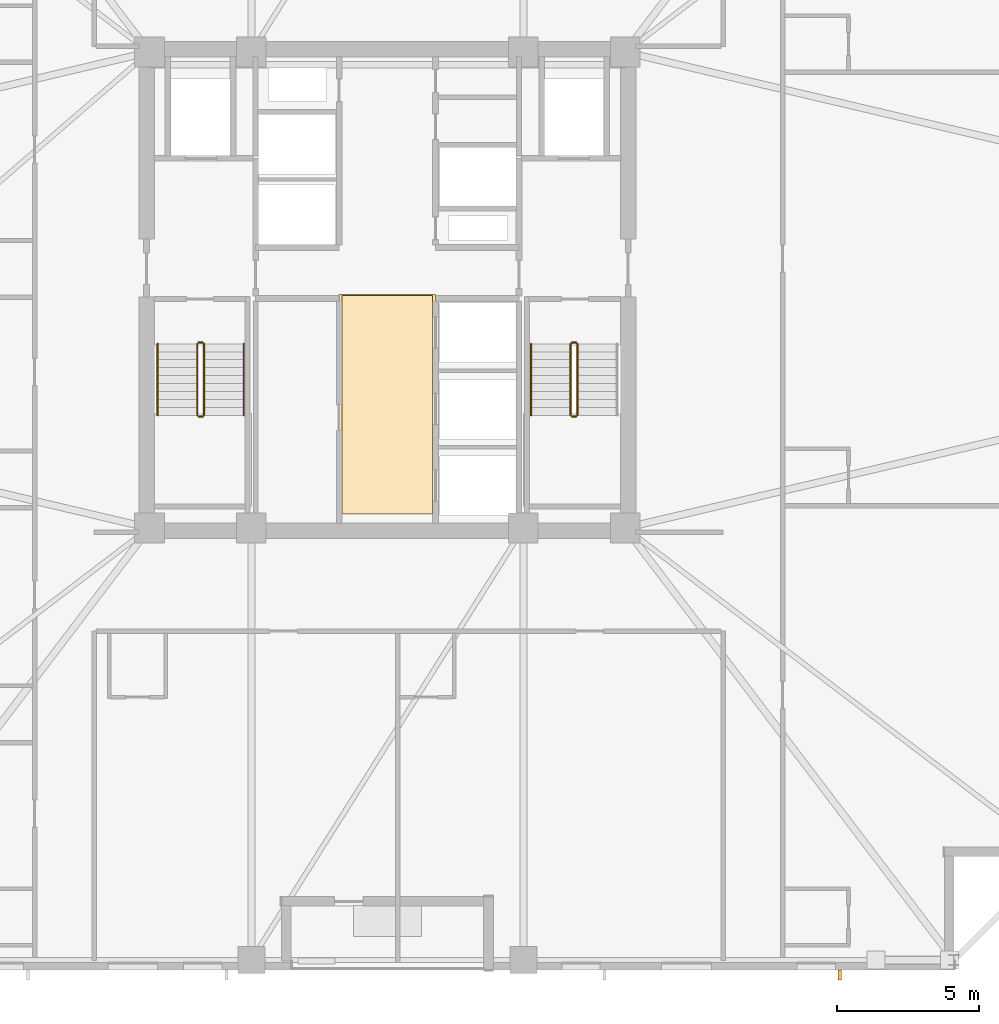
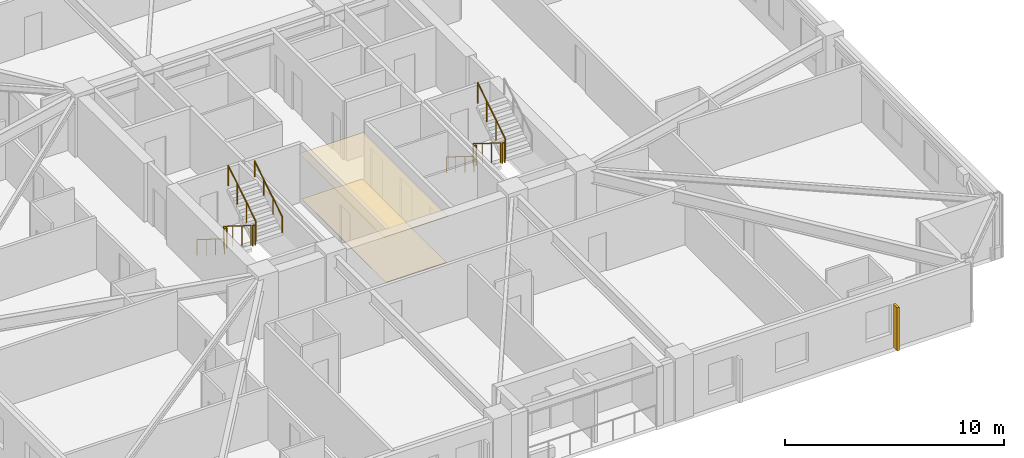
# One storey, part 8 of 11: 11 railings, 2 coverings, 1 shading device.
"""IFC4 building model written with IfcOpenShell, lengths in metres."""

from ifc_helpers import new_model, si_unit, direction, frame, origin, origin_2d, place, context, subcontext, project, spatial, polyline, rectangle, circle, outline, extrude, material, layer, layer_set, type_object, element, save


model = new_model("IFC4")

# Units and contexts
model_context = context("Model", 3, precision=1e-05, world=origin(), true_north=direction((0.0, 1.0)))
body_context = subcontext(model_context, "Body", "Model", "MODEL_VIEW")
ifc_project = project(units=[si_unit("LENGTHUNIT", "METRE"), si_unit("AREAUNIT", "SQUARE_METRE"), si_unit("VOLUMEUNIT", "CUBIC_METRE"), si_unit("PLANEANGLEUNIT", "RADIAN"), si_unit("MASSUNIT", "GRAM", prefix="KILO")], contexts=[model_context])

# Site, building, storey
site_placement = place(None, origin())
site = spatial("IfcSite", under=ifc_project, at=site_placement, CompositionType="ELEMENT")
building_placement = place(site_placement, origin())
building = spatial("IfcBuilding", under=site, at=building_placement, Name="Cairnveth Concourse Tower", CompositionType="ELEMENT")
storey_placement = place(building_placement, frame((0.0, 0.0, 155.0)))
storey = spatial("IfcBuildingStorey", under=building, at=storey_placement, Name="L42", CompositionType="ELEMENT", Elevation=155.0)

# Covering
ifc_material_1 = material(Name="Acoustic Mineral Fibre Ceiling", Category="gypsum")
ifc_layer_1 = layer(ifc_material_1, 0.02490234375)
ifc_layer_set_1 = layer_set([ifc_layer_1], Name="Acoustic Mineral Fibre Ceiling")
covering_type_1 = type_object("IfcCoveringType", Name="ACOUSTIC MINERAL FIBRE CEILING 25", PredefinedType="CEILING", material=ifc_layer_set_1)
covering_1_placement = place(storey_placement, frame((0.0, 0.0, 2.5400390625)))
element("IfcCovering", 1, at=covering_1_placement, inside=storey, type_object=covering_type_1, Name="Lift Lobby Acoustic Ceiling L42", PredefinedType="CEILING", context=body_context, shape_type="SweptSolid", body=[
    extrude(outline(polyline([(50.300048828125, 31.10009765625), (53.699951171875, 31.10009765625), (53.699951171875, 38.85009765625), (50.300048828125, 38.85009765625), (50.300048828125, 31.10009765625)])), origin(), (0.0, 0.0, 1.0), 0.02490234375),
])

# Shading device
ifc_material_2 = material(Name="Architectural Bronze Anodised Aluminium 6063-T6", Category="aluminium")
shading_device_type = type_object("IfcShadingDeviceType", Name="GOTHIC BRONZE VERTICAL LANCET FIN", PredefinedType="USERDEFINED", material=ifc_material_2)
shading_device_placement = place(storey_placement, frame((67.97119140625, 14.824951171875, 0.030029296875), z_axis=(0.0, 0.0, 1.0), x_axis=(1.0, 0.0, 0.0)))
element("IfcShadingDevice", 2, at=shading_device_placement, inside=storey, type_object=shading_device_type, Name="Gothic Bronze Vertical Fin L42-12-1", ObjectType="VERTICAL FIN", PredefinedType="USERDEFINED", context=body_context, shape_type="SweptSolid", body=[
    extrude(rectangle(XDim=0.1201171875, YDim=0.360107421875, at=origin_2d()), origin(), (0.0, 0.0, 1.0), 2.419921875),
])

# Railings
ifc_material_3 = material(Name="Steel Grade 350", Category="steel")
railing_type_1 = type_object("IfcRailingType", Name="STAIR GUARDRAIL 1150", PredefinedType="GUARDRAIL", material=ifc_material_3)
railing_1_placement = place(storey_placement, frame((45.2900390625, 37.10009765625, 0.175048828125)))
element("IfcRailing", 3, at=railing_1_placement, inside=storey, type_object=railing_type_1, Name="L42 ST-1 stair guard 1", PredefinedType="GUARDRAIL", context=body_context, shape_type="SweptSolid", body=[
    extrude(circle(Radius=0.02392578125, at=origin_2d()), frame((0.0, 0.0, 1.1259765625), z_axis=(0.0, -0.848007534815, 0.529984170421), x_axis=(1.0, 0.0, 0.0)), (0.0, 0.0, 1.0), 2.9716796875),
    extrude(circle(Radius=0.02099609375, at=origin_2d()), origin(), (0.0, 0.0, 1.0), 1.101806640625),
    extrude(circle(Radius=0.02099609375, at=origin_2d()), frame((0.0, -0.840087890625, 0.52490234375)), (0.0, 0.0, 1.0), 1.101806640625),
    extrude(circle(Radius=0.02099609375, at=origin_2d()), frame((0.0, -1.679931640625, 1.050048828125)), (0.0, 0.0, 1.0), 1.101806640625),
    extrude(circle(Radius=0.02099609375, at=origin_2d()), frame((0.0, -2.52001953125, 1.574951171875)), (0.0, 0.0, 1.0), 1.101806640625),
])
railing_2_placement = place(storey_placement, frame((45.340087890625, 34.530029296875, 1.75)))
element("IfcRailing", 4, at=railing_2_placement, inside=storey, type_object=railing_type_1, Name="L42 ST-1 stair guard 2", PredefinedType="GUARDRAIL", context=body_context, shape_type="SweptSolid", body=[
    extrude(circle(Radius=0.02392578125, at=origin_2d()), frame((0.0, 0.0, 1.1259765625), z_axis=(1.0, 0.0, 0.0), x_axis=(0.0, 1.0, 0.0)), (0.0, 0.0, 1.0), 0.139892578125),
    extrude(circle(Radius=0.02099609375, at=origin_2d()), origin(), (0.0, 0.0, 1.0), 1.101806640625),
    extrude(circle(Radius=0.02099609375, at=origin_2d()), frame((0.139892578125, 0.0, 0.0)), (0.0, 0.0, 1.0), 1.101806640625),
])
railing_3_placement = place(storey_placement, frame((45.530029296875, 34.580078125, 1.925048828125)))
element("IfcRailing", 5, at=railing_3_placement, inside=storey, type_object=railing_type_1, Name="L42 ST-1 stair guard 3", PredefinedType="GUARDRAIL", context=body_context, shape_type="SweptSolid", body=[
    extrude(circle(Radius=0.02392578125, at=origin_2d()), frame((0.0, 0.0, 1.1259765625), z_axis=(0.0, 0.848007534815, 0.529984170421), x_axis=(-1.0, 0.0, 0.0)), (0.0, 0.0, 1.0), 2.9716796875),
    extrude(circle(Radius=0.02099609375, at=origin_2d()), origin(), (0.0, 0.0, 1.0), 1.101806640625),
    extrude(circle(Radius=0.02099609375, at=origin_2d()), frame((0.0, 0.840087890625, 0.52490234375)), (0.0, 0.0, 1.0), 1.101806640625),
    extrude(circle(Radius=0.02099609375, at=origin_2d()), frame((0.0, 1.679931640625, 1.050048828125)), (0.0, 0.0, 1.0), 1.101806640625),
    extrude(circle(Radius=0.02099609375, at=origin_2d()), frame((0.0, 2.52001953125, 1.574951171875)), (0.0, 0.0, 1.0), 1.101806640625),
])
railing_4_placement = place(storey_placement, frame((45.340087890625, 37.14990234375, 0.0)))
element("IfcRailing", 6, at=railing_4_placement, inside=storey, type_object=railing_type_1, Name="L42 ST-1 stair guard 4", PredefinedType="GUARDRAIL", context=body_context, shape_type="SweptSolid", body=[
    extrude(circle(Radius=0.02392578125, at=origin_2d()), frame((0.0, 0.0, 1.1259765625), z_axis=(1.0, 0.0, 0.0), x_axis=(0.0, 1.0, 0.0)), (0.0, 0.0, 1.0), 0.139892578125),
    extrude(circle(Radius=0.02099609375, at=origin_2d()), origin(), (0.0, 0.0, 1.0), 1.101806640625),
    extrude(circle(Radius=0.02099609375, at=origin_2d()), frame((0.139892578125, 0.0, 0.0)), (0.0, 0.0, 1.0), 1.101806640625),
])
railing_5_placement = place(storey_placement, frame((58.469970703125, 37.10009765625, 0.175048828125)))
element("IfcRailing", 7, at=railing_5_placement, inside=storey, type_object=railing_type_1, Name="L42 ST-2 stair guard 1", PredefinedType="GUARDRAIL", context=body_context, shape_type="SweptSolid", body=[
    extrude(circle(Radius=0.02392578125, at=origin_2d()), frame((0.0, 0.0, 1.1259765625), z_axis=(0.0, -0.848007534815, 0.529984170421), x_axis=(1.0, 0.0, 0.0)), (0.0, 0.0, 1.0), 2.9716796875),
    extrude(circle(Radius=0.02099609375, at=origin_2d()), origin(), (0.0, 0.0, 1.0), 1.101806640625),
    extrude(circle(Radius=0.02099609375, at=origin_2d()), frame((0.0, -0.840087890625, 0.52490234375)), (0.0, 0.0, 1.0), 1.101806640625),
    extrude(circle(Radius=0.02099609375, at=origin_2d()), frame((0.0, -1.679931640625, 1.050048828125)), (0.0, 0.0, 1.0), 1.101806640625),
    extrude(circle(Radius=0.02099609375, at=origin_2d()), frame((0.0, -2.52001953125, 1.574951171875)), (0.0, 0.0, 1.0), 1.101806640625),
])
railing_6_placement = place(storey_placement, frame((58.52001953125, 34.530029296875, 1.75)))
element("IfcRailing", 8, at=railing_6_placement, inside=storey, type_object=railing_type_1, Name="L42 ST-2 stair guard 2", PredefinedType="GUARDRAIL", context=body_context, shape_type="SweptSolid", body=[
    extrude(circle(Radius=0.02392578125, at=origin_2d()), frame((0.0, 0.0, 1.1259765625), z_axis=(1.0, 0.0, 0.0), x_axis=(0.0, 1.0, 0.0)), (0.0, 0.0, 1.0), 0.139892578125),
    extrude(circle(Radius=0.02099609375, at=origin_2d()), origin(), (0.0, 0.0, 1.0), 1.101806640625),
    extrude(circle(Radius=0.02099609375, at=origin_2d()), frame((0.139892578125, 0.0, 0.0)), (0.0, 0.0, 1.0), 1.101806640625),
])
railing_7_placement = place(storey_placement, frame((58.7099609375, 34.580078125, 1.925048828125)))
element("IfcRailing", 9, at=railing_7_placement, inside=storey, type_object=railing_type_1, Name="L42 ST-2 stair guard 3", PredefinedType="GUARDRAIL", context=body_context, shape_type="SweptSolid", body=[
    extrude(circle(Radius=0.02392578125, at=origin_2d()), frame((0.0, 0.0, 1.1259765625), z_axis=(0.0, 0.848007534815, 0.529984170421), x_axis=(-1.0, 0.0, 0.0)), (0.0, 0.0, 1.0), 2.9716796875),
    extrude(circle(Radius=0.02099609375, at=origin_2d()), origin(), (0.0, 0.0, 1.0), 1.101806640625),
    extrude(circle(Radius=0.02099609375, at=origin_2d()), frame((0.0, 0.840087890625, 0.52490234375)), (0.0, 0.0, 1.0), 1.101806640625),
    extrude(circle(Radius=0.02099609375, at=origin_2d()), frame((0.0, 1.679931640625, 1.050048828125)), (0.0, 0.0, 1.0), 1.101806640625),
    extrude(circle(Radius=0.02099609375, at=origin_2d()), frame((0.0, 2.52001953125, 1.574951171875)), (0.0, 0.0, 1.0), 1.101806640625),
])
railing_8_placement = place(storey_placement, frame((58.52001953125, 37.14990234375, 0.0)))
element("IfcRailing", 10, at=railing_8_placement, inside=storey, type_object=railing_type_1, Name="L42 ST-2 stair guard 4", PredefinedType="GUARDRAIL", context=body_context, shape_type="SweptSolid", body=[
    extrude(circle(Radius=0.02392578125, at=origin_2d()), frame((0.0, 0.0, 1.1259765625), z_axis=(1.0, 0.0, 0.0), x_axis=(0.0, 1.0, 0.0)), (0.0, 0.0, 1.0), 0.139892578125),
    extrude(circle(Radius=0.02099609375, at=origin_2d()), origin(), (0.0, 0.0, 1.0), 1.101806640625),
    extrude(circle(Radius=0.02099609375, at=origin_2d()), frame((0.139892578125, 0.0, 0.0)), (0.0, 0.0, 1.0), 1.101806640625),
])
railing_type_2 = type_object("IfcRailingType", Name="STAIR WALL HANDRAIL 900", PredefinedType="HANDRAIL", material=ifc_material_3)
railing_9_placement = place(storey_placement, frame((43.889892578125, 37.10009765625, 0.175048828125)))
element("IfcRailing", 11, at=railing_9_placement, inside=storey, type_object=railing_type_2, Name="L42 ST-1 stair handrail 1", PredefinedType="HANDRAIL", context=body_context, shape_type="SweptSolid", body=[
    extrude(circle(Radius=0.02392578125, at=origin_2d()), frame((0.0, 0.0, 0.8759765625), z_axis=(0.0, -0.848007534815, 0.529984170421), x_axis=(1.0, 0.0, 0.0)), (0.0, 0.0, 1.0), 2.9716796875),
    extrude(circle(Radius=0.02099609375, at=origin_2d()), origin(), (0.0, 0.0, 1.0), 0.851806640625),
    extrude(circle(Radius=0.02099609375, at=origin_2d()), frame((0.0, -0.840087890625, 0.52490234375)), (0.0, 0.0, 1.0), 0.851806640625),
    extrude(circle(Radius=0.02099609375, at=origin_2d()), frame((0.0, -1.679931640625, 1.050048828125)), (0.0, 0.0, 1.0), 0.851806640625),
    extrude(circle(Radius=0.02099609375, at=origin_2d()), frame((0.0, -2.52001953125, 1.574951171875)), (0.0, 0.0, 1.0), 0.851806640625),
])
railing_10_placement = place(storey_placement, frame((46.929931640625, 34.580078125, 1.925048828125)))
element("IfcRailing", 12, at=railing_10_placement, inside=storey, type_object=railing_type_2, Name="L42 ST-1 stair handrail 2", PredefinedType="HANDRAIL", context=body_context, shape_type="SweptSolid", body=[
    extrude(circle(Radius=0.02392578125, at=origin_2d()), frame((0.0, 0.0, 0.8759765625), z_axis=(0.0, 0.848007534815, 0.529984170421), x_axis=(-1.0, 0.0, 0.0)), (0.0, 0.0, 1.0), 2.9716796875),
    extrude(circle(Radius=0.02099609375, at=origin_2d()), origin(), (0.0, 0.0, 1.0), 0.851806640625),
    extrude(circle(Radius=0.02099609375, at=origin_2d()), frame((0.0, 0.840087890625, 0.52490234375)), (0.0, 0.0, 1.0), 0.851806640625),
    extrude(circle(Radius=0.02099609375, at=origin_2d()), frame((0.0, 1.679931640625, 1.050048828125)), (0.0, 0.0, 1.0), 0.851806640625),
    extrude(circle(Radius=0.02099609375, at=origin_2d()), frame((0.0, 2.52001953125, 1.574951171875)), (0.0, 0.0, 1.0), 0.851806640625),
])
railing_11_placement = place(storey_placement, frame((57.070068359375, 37.10009765625, 0.175048828125)))
element("IfcRailing", 13, at=railing_11_placement, inside=storey, type_object=railing_type_2, Name="L42 ST-2 stair handrail 1", PredefinedType="HANDRAIL", context=body_context, shape_type="SweptSolid", body=[
    extrude(circle(Radius=0.02392578125, at=origin_2d()), frame((0.0, 0.0, 0.8759765625), z_axis=(0.0, -0.848007534815, 0.529984170421), x_axis=(1.0, 0.0, 0.0)), (0.0, 0.0, 1.0), 2.9716796875),
    extrude(circle(Radius=0.02099609375, at=origin_2d()), origin(), (0.0, 0.0, 1.0), 0.851806640625),
    extrude(circle(Radius=0.02099609375, at=origin_2d()), frame((0.0, -0.840087890625, 0.52490234375)), (0.0, 0.0, 1.0), 0.851806640625),
    extrude(circle(Radius=0.02099609375, at=origin_2d()), frame((0.0, -1.679931640625, 1.050048828125)), (0.0, 0.0, 1.0), 0.851806640625),
    extrude(circle(Radius=0.02099609375, at=origin_2d()), frame((0.0, -2.52001953125, 1.574951171875)), (0.0, 0.0, 1.0), 0.851806640625),
])

# Covering
ifc_material_4 = material(Name="Vitrified Stoneware Tile Flooring", Category="masonry")
ifc_layer_2 = layer(ifc_material_4, 0.02001953125)
ifc_layer_set_2 = layer_set([ifc_layer_2], Name="Vitrified Stoneware Tile Flooring")
covering_type_2 = type_object("IfcCoveringType", Name="VITRIFIED STONEWARE LOBBY FLOORING 20", PredefinedType="FLOORING", material=ifc_layer_set_2)
covering_2_placement = place(storey_placement, origin())
element("IfcCovering", 14, at=covering_2_placement, inside=storey, type_object=covering_type_2, Name="Lift Lobby Stoneware Flooring L42", PredefinedType="FLOORING", context=body_context, shape_type="SweptSolid", body=[
    extrude(outline(polyline([(50.39990234375, 31.10009765625), (53.60009765625, 31.10009765625), (53.60009765625, 38.800048828125), (50.39990234375, 38.800048828125), (50.39990234375, 31.10009765625)])), origin(), (0.0, 0.0, 1.0), 0.02001953125),
])

save(model, "model.ifc")
